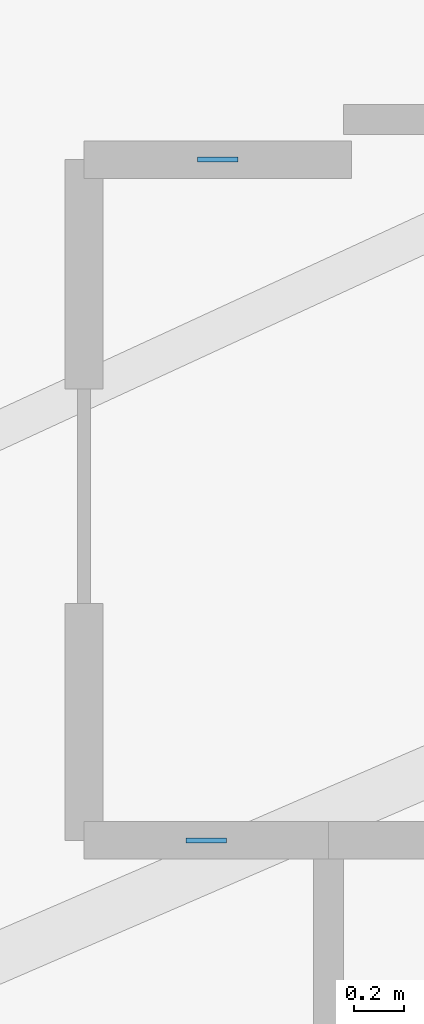
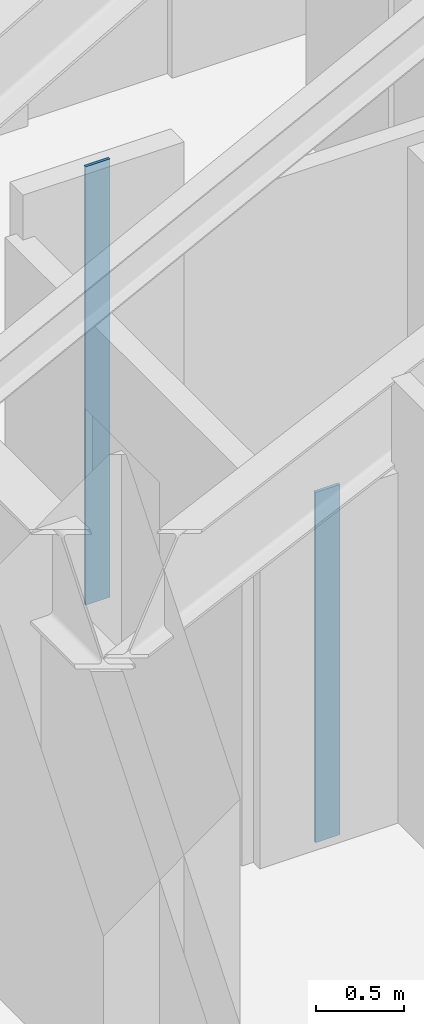
# One storey, part 2 of 13: 2 plates.
"""IFC4 building model written with IfcOpenShell, lengths in metres."""

import ifcopenshell
import ifcopenshell.guid

model = None  # the IFC model being written
_history = None  # IfcOwnerHistory: only IFC2X3 demands one
_inside = {}  # id of a spatial element -> (the spatial element, [elements in it])
_under = {}  # id of a project, library or spatial element -> (it, [spatial elements below it])
_declared = {}  # id of a project -> (the project, [libraries it declares])
_typed = {}  # id of a type object -> (the type object, [elements of that type])
_made_of = {}  # id of a material, layer set ... -> (it, [elements and type objects made of it])


def new_model(schema):
    """Start an empty IFC model of exactly this schema.

    Asked for "IFC4X3", IfcOpenShell would pick the latest addendum, in which some entities
    have other attributes; the version numbers below select the first issue.
    IFC2X3 requires an IfcOwnerHistory on every rooted entity: one is made here for all.
    """
    global model, _history
    if schema == "IFC4X3":
        model = ifcopenshell.file(schema_version=(4, 3, 0, 0))
    else:
        model = ifcopenshell.file(schema=schema)
    _inside.clear()
    _under.clear()
    _declared.clear()
    _typed.clear()
    _made_of.clear()
    _history = None
    if model.schema == "IFC2X3":
        org = make("IfcOrganization", Name="unknown")
        user = make(
            "IfcPersonAndOrganization",
            ThePerson=make("IfcPerson", FamilyName="unknown"),
            TheOrganization=org,
        )
        app = make(
            "IfcApplication",
            ApplicationDeveloper=org,
            Version="unknown",
            ApplicationFullName="unknown",
            ApplicationIdentifier="unknown",
        )
        _history = make(
            "IfcOwnerHistory",
            OwningUser=user,
            OwningApplication=app,
            ChangeAction="ADDED",
            CreationDate=0,
        )
    return model


def make(cls, **values):
    """One entity of the class cls with the attributes given. An attribute that is None is left unset."""
    return model.create_entity(
        cls, **{name: value for name, value in values.items() if value is not None}
    )


def rooted(cls, **values):
    """An entity with a GlobalId (a new one), such as an element, a storey or a relation."""
    return make(cls, GlobalId=ifcopenshell.guid.new(), OwnerHistory=_history, **values)


def si_unit(unit_type, name, prefix=None):
    """IfcSIUnit, for example si_unit("LENGTHUNIT", "METRE", prefix="MILLI")."""
    return make("IfcSIUnit", UnitType=unit_type, Prefix=prefix, Name=name)


def assignment(units):
    """IfcUnitAssignment: the units of a project."""
    return None if units is None else make("IfcUnitAssignment", Units=units)


def point(xyz):
    """IfcCartesianPoint."""
    return None if xyz is None else make("IfcCartesianPoint", Coordinates=xyz)


def direction(xyz):
    """IfcDirection."""
    return None if xyz is None else make("IfcDirection", DirectionRatios=xyz)


def frame(location, z_axis=None, x_axis=None):
    """IfcAxis2Placement3D, a coordinate frame: its origin and axes. An axis left out is left unset."""
    return make(
        "IfcAxis2Placement3D",
        Location=point(location),
        Axis=direction(z_axis),
        RefDirection=direction(x_axis),
    )


def frame_2d(location, x_axis=None):
    """IfcAxis2Placement2D, a coordinate frame in the plane: its origin and x axis."""
    return make(
        "IfcAxis2Placement2D", Location=point(location), RefDirection=direction(x_axis)
    )


def origin():
    """The frame at (0, 0, 0) with its axes left unset."""
    return frame((0.0, 0.0, 0.0))


def origin_2d():
    """The frame at (0, 0) in the plane with its x axis left unset."""
    return frame_2d((0.0, 0.0))


def place(relative_to, where):
    """IfcLocalPlacement: puts the frame where relative to a parent placement (None: the world)."""
    return make(
        "IfcLocalPlacement", PlacementRelTo=relative_to, RelativePlacement=where
    )


def context(
    kind, dimensions, precision=None, world=None, true_north=None, identifier=None
):
    """IfcGeometricRepresentationContext, for example the 3D "Model" context."""
    return make(
        "IfcGeometricRepresentationContext",
        ContextIdentifier=identifier,
        ContextType=kind,
        CoordinateSpaceDimension=dimensions,
        Precision=precision,
        WorldCoordinateSystem=world,
        TrueNorth=true_north,
    )


def subcontext(parent, identifier, kind, view, scale=None):
    """IfcGeometricRepresentationSubContext, for example "Body" below "Model"."""
    return make(
        "IfcGeometricRepresentationSubContext",
        ContextIdentifier=identifier,
        ContextType=kind,
        ParentContext=parent,
        TargetScale=scale,
        TargetView=view,
    )


def project(units=None, contexts=None):
    """IfcProject with its units and contexts."""
    return rooted(
        "IfcProject",
        Name="project",
        RepresentationContexts=contexts,
        UnitsInContext=assignment(units),
    )


def spatial(cls, under=None, at=None, **own):
    """A site, building, storey or space (cls), placed at a placement, below another one or the project."""
    s = rooted(cls, ObjectPlacement=at, **own)
    if under is not None:
        _under.setdefault(under.id(), (under, []))[1].append(s)
    return s


def profile(cls, at=None, kind="AREA", **sizes):
    """A parametric profile (cls). Its sizes go by their IFC names, for example OverallWidth=200.0."""
    return make(cls, ProfileType=kind, Position=at, **sizes)


def rectangle(**sizes):
    """IfcRectangleProfileDef."""
    return profile("IfcRectangleProfileDef", **sizes)


def extrude(swept, where, along, depth):
    """IfcExtrudedAreaSolid: the profile swept, set in the frame where, extruded along a direction by depth."""
    return make(
        "IfcExtrudedAreaSolid",
        SweptArea=swept,
        Position=where,
        ExtrudedDirection=direction(along),
        Depth=depth,
    )


def shape(context_of_items, identifier, shape_type, items):
    """IfcShapeRepresentation: the items that make up one representation, for example the "Body"."""
    return make(
        "IfcShapeRepresentation",
        ContextOfItems=context_of_items,
        RepresentationIdentifier=identifier,
        RepresentationType=shape_type,
        Items=items,
    )


def material(Name=None, Category=None):
    """IfcMaterial."""
    return make("IfcMaterial", Name=Name, Category=Category)


def layer(
    of_material, thickness, ventilated=None, Name=None, Category=None, Priority=None
):
    """IfcMaterialLayer: one layer of a wall or slab, of a material (None: an air gap)."""
    return make(
        "IfcMaterialLayer",
        Material=of_material,
        LayerThickness=thickness,
        IsVentilated=ventilated,
        Name=Name,
        Category=Category,
        Priority=Priority,
    )


def layer_set(layers, Name=None):
    """IfcMaterialLayerSet."""
    return make("IfcMaterialLayerSet", MaterialLayers=layers, LayerSetName=Name)


def made_of(thing, what):
    """Note that an element or type object is made of a material, layer set ...; save() writes the relation."""
    if what is not None:
        _made_of.setdefault(what.id(), (what, []))[1].append(thing)
    return thing


def type_object(cls, material=None, **own):
    """A type object (cls), such as IfcWallType, which elements share."""
    return made_of(rooted(cls, **own), material)


def element(
    cls,
    number,
    at=None,
    inside=None,
    cuts=None,
    type_object=None,
    material=None,
    context=None,
    identifier="Body",
    shape_type=None,
    held_by="IfcProductDefinitionShape",
    body=None,
    shapes=None,
    **own,
):
    """One element of the class cls, such as IfcWall. Its Tag is "e" and its number.

    at: its placement. inside: the storey or other place that contains it. cuts: it is an
    opening in that element (IfcRelVoidsElement). A single representation is given by context,
    identifier, shape_type and body (its items); several are given by shapes. held_by: the class
    of the entity that holds the representations. save() writes the other relations.
    """
    e = rooted(cls, Tag="e%d" % number, ObjectPlacement=at, **own)
    if body is not None:
        shapes = [shape(context, identifier, shape_type, body)]
    if shapes is not None:
        e.Representation = make(held_by, Representations=shapes)
    if inside is not None:
        _inside.setdefault(inside.id(), (inside, []))[1].append(e)
    if cuts is not None:
        rooted(
            "IfcRelVoidsElement", RelatingBuildingElement=cuts, RelatedOpeningElement=e
        )
    if type_object is not None:
        _typed.setdefault(type_object.id(), (type_object, []))[1].append(e)
    return made_of(e, material)


def aggregate(whole, parts):
    """IfcRelAggregates: a whole, such as a stair, and the parts it consists of."""
    return rooted("IfcRelAggregates", RelatingObject=whole, RelatedObjects=parts)


def save(model, path):
    """Write the relations noted so far, then the file.

    IfcRelAggregates (storeys below a building ...), IfcRelContainedInSpatialStructure (elements
    in a storey), IfcRelDefinesByType, IfcRelAssociatesMaterial and IfcRelDeclares: one each for
    every whole, place, type object, material and project.
    """
    for whole, parts in _under.values():
        aggregate(whole, parts)
    for where, things in _inside.values():
        rooted(
            "IfcRelContainedInSpatialStructure",
            RelatedElements=things,
            RelatingStructure=where,
        )
    for kind, things in _typed.values():
        rooted("IfcRelDefinesByType", RelatedObjects=things, RelatingType=kind)
    for what, things in _made_of.values():
        rooted("IfcRelAssociatesMaterial", RelatedObjects=things, RelatingMaterial=what)
    for by, libraries in _declared.values():
        rooted("IfcRelDeclares", RelatingContext=by, RelatedDefinitions=libraries)
    model.write(path)


model = new_model("IFC4")

# Units and contexts
model_context = context("Model", 3, precision=1e-05, world=origin(), true_north=direction((0.0, 1.0)))
body_context = subcontext(model_context, "Body", "Model", "MODEL_VIEW")
ifc_project = project(units=[si_unit("LENGTHUNIT", "METRE"), si_unit("AREAUNIT", "SQUARE_METRE"), si_unit("VOLUMEUNIT", "CUBIC_METRE"), si_unit("PLANEANGLEUNIT", "RADIAN"), si_unit("MASSUNIT", "GRAM", prefix="KILO")], contexts=[model_context])

# Site, building, storey
site_placement = place(None, origin())
site = spatial("IfcSite", under=ifc_project, at=site_placement, CompositionType="ELEMENT")
building_placement = place(site_placement, origin())
building = spatial("IfcBuilding", under=site, at=building_placement, Name="Miruveldt Soraemaru", CompositionType="ELEMENT")
storey_placement = place(building_placement, frame((0.0, 0.0, 87.0)))
storey = spatial("IfcBuildingStorey", under=building, at=storey_placement, Name="L24", CompositionType="ELEMENT", Elevation=87.0)

# Plates
ifc_material = material(Name="Anodised aluminium EN AW-6063 T6", Category="aluminium")
ifc_layer = layer(ifc_material, 0.02001953125, Name="Anodised aluminium EN AW-6063 T6", Category="aluminium")
ifc_layer_set = layer_set([ifc_layer], Name="Anodised aluminium EN AW-6063 T6")
plate_type = type_object("IfcPlateType", Name="PLT-PART-TRIM", PredefinedType="SHEET", material=ifc_layer_set)
plate_1_placement = place(storey_placement, frame((46.010009765625, 29.041015625, 0.0), z_axis=(0.0, 0.0, 1.0), x_axis=(-1.0, 0.0, 0.0)))
element("IfcPlate", 1, at=plate_1_placement, inside=storey, type_object=plate_type, Name="L24 Partition Step Corner Trim Plate 082", PredefinedType="SHEET", context=body_context, shape_type="SweptSolid", body=[
    extrude(rectangle(XDim=0.159912109375, YDim=0.02001953125, at=origin_2d()), origin(), (0.0, 0.0, 1.0), 3.050048828125),
])
plate_2_placement = place(storey_placement, frame((45.965087890625, 26.341064453125, 0.0), z_axis=(0.0, 0.0, 1.0), x_axis=(1.0, 0.0, 0.0)))
element("IfcPlate", 2, at=plate_2_placement, inside=storey, type_object=plate_type, Name="L24 Partition Step Corner Trim Plate 084", PredefinedType="SHEET", context=body_context, shape_type="SweptSolid", body=[
    extrude(rectangle(XDim=0.159912109375, YDim=0.02001953125, at=origin_2d()), origin(), (0.0, 0.0, 1.0), 2.43798828125),
])

save(model, "model.ifc")
